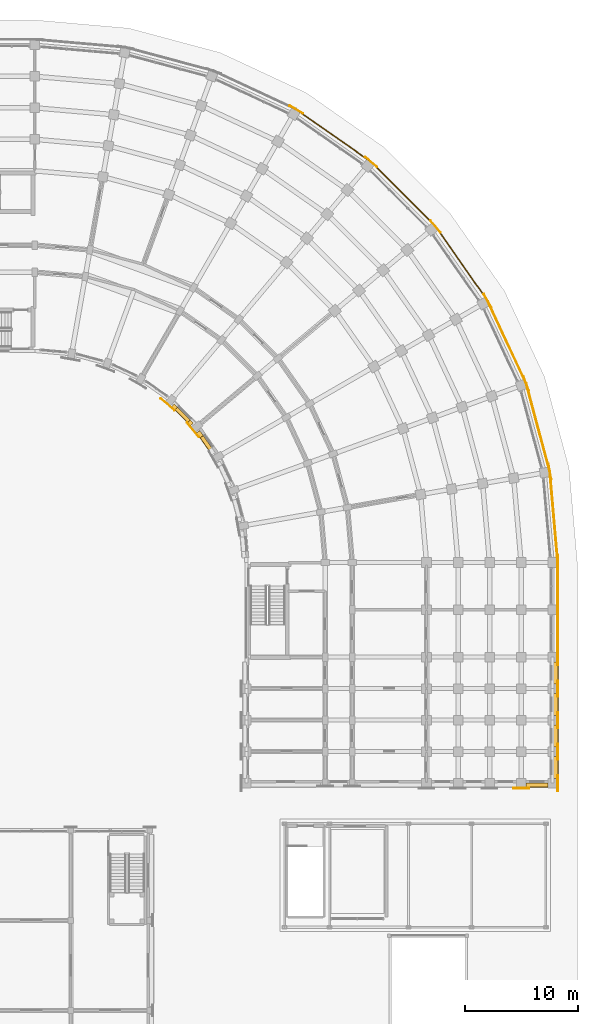
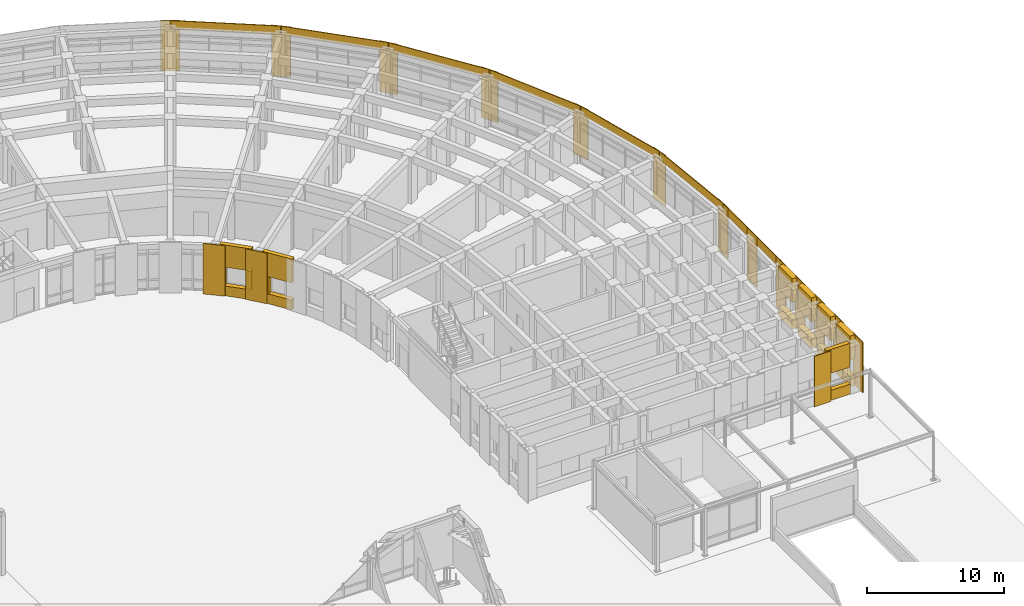
# One storey, part 133 of 135: 41 coverings.
"""IFC4 building model written with IfcOpenShell, lengths in metres."""

from ifc_helpers import new_model, si_unit, direction, frame, origin, place, context, subcontext, project, spatial, polyline, outline, extrude, material, layer, layer_set, type_object, element, save


model = new_model("IFC4")

# Units and contexts
model_context = context("Model", 3, precision=1e-05, world=origin(), true_north=direction((0.0, 1.0)))
body_context = subcontext(model_context, "Body", "Model", "MODEL_VIEW")
ifc_project = project(units=[si_unit("LENGTHUNIT", "METRE"), si_unit("AREAUNIT", "SQUARE_METRE"), si_unit("VOLUMEUNIT", "CUBIC_METRE"), si_unit("PLANEANGLEUNIT", "RADIAN"), si_unit("MASSUNIT", "GRAM", prefix="KILO")], contexts=[model_context])

# Site, building, storey
site_placement = place(None, origin())
site = spatial("IfcSite", under=ifc_project, at=site_placement, CompositionType="ELEMENT")
building_placement = place(site_placement, origin())
building = spatial("IfcBuilding", under=site, at=building_placement, Name="Kiranvali Square Residences", CompositionType="ELEMENT")
storey_placement = place(building_placement, origin())
storey = spatial("IfcBuildingStorey", under=building, at=storey_placement, Name="L00", CompositionType="ELEMENT", Elevation=0.0)

# Coverings
ifc_material_1 = material(Name="Honed Porbandar limestone ashlar facade cladding", Category="masonry")
ifc_layer_1 = layer(ifc_material_1, 0.3798828125)
ifc_layer_set_1 = layer_set([ifc_layer_1], Name="Honed Porbandar limestone ashlar facade cladding")
covering_type_1 = type_object("IfcCoveringType", Name="COV-CLAD-JAMB", PredefinedType="CLADDING", material=ifc_layer_set_1)
covering_1_placement = place(storey_placement, frame((0.0, 0.0, 0.8798828125)))
element("IfcCovering", 1, at=covering_1_placement, inside=storey, type_object=covering_type_1, Name="L00 deep limestone window jamb reveal B-L00-GDN-04.L", PredefinedType="CLADDING", context=body_context, shape_type="SweptSolid", body=[
    extrude(outline(polyline([(131.955078125, 101.650146484375), (132.23681640625, 101.368408203125), (132.47705078125, 101.6083984375), (132.195068359375, 101.89013671875), (131.955078125, 101.650146484375)])), origin(), (0.0, 0.0, 1.0), 1.650146484375),
])
covering_2_placement = place(storey_placement, frame((0.0, 0.0, 0.8798828125)))
element("IfcCovering", 2, at=covering_2_placement, inside=storey, type_object=covering_type_1, Name="L00 deep limestone window jamb reveal B-L00-GDN-04.R", PredefinedType="CLADDING", context=body_context, shape_type="SweptSolid", body=[
    extrude(outline(polyline([(133.368408203125, 100.23681640625), (133.650146484375, 99.955078125), (133.89013671875, 100.195068359375), (133.6083984375, 100.47705078125), (133.368408203125, 100.23681640625)])), origin(), (0.0, 0.0, 1.0), 1.650146484375),
])
covering_3_placement = place(storey_placement, frame((0.0, 0.0, 0.8798828125)))
element("IfcCovering", 3, at=covering_3_placement, inside=storey, type_object=covering_type_1, Name="L00 deep limestone window jamb reveal B-L00-GDN-05.L", PredefinedType="CLADDING", context=body_context, shape_type="SweptSolid", body=[
    extrude(outline(polyline([(134.175537109375, 99.328857421875), (134.490234375, 98.879638671875), (134.768310546875, 99.074462890625), (134.45361328125, 99.523681640625), (134.175537109375, 99.328857421875)])), origin(), (0.0, 0.0, 1.0), 1.5),
])
ifc_layer_2 = layer(ifc_material_1, 0.050048828125)
ifc_layer_set_2 = layer_set([ifc_layer_2], Name="Honed Porbandar limestone ashlar facade cladding")
covering_type_2 = type_object("IfcCoveringType", Name="COV-CLAD-PIER-IN", PredefinedType="CLADDING", material=ifc_layer_set_2)
covering_4_placement = place(storey_placement, frame((0.0, 0.0, 0.0048828125)))
element("IfcCovering", 4, at=covering_4_placement, inside=storey, type_object=covering_type_2, Name="L00 Classical garden courtyard pilaster CLAD-PRIN-B-L00-A04", PredefinedType="CLADDING", context=body_context, shape_type="SweptSolid", body=[
    extrude(outline(polyline([(130.935546875, 102.354248046875), (132.199462890625, 101.293701171875), (132.242919921875, 101.345458984375), (130.97900390625, 102.406005859375), (130.935546875, 102.354248046875)])), origin(), (0.0, 0.0, 1.0), 4.490234375),
])
covering_5_placement = place(storey_placement, frame((0.0, 0.0, 0.0048828125)))
element("IfcCovering", 5, at=covering_5_placement, inside=storey, type_object=covering_type_2, Name="L00 Classical garden courtyard pilaster CLAD-PRIN-B-L00-A05", PredefinedType="CLADDING", context=body_context, shape_type="SweptSolid", body=[
    extrude(outline(polyline([(133.293701171875, 100.199462890625), (134.354248046875, 98.935546875), (134.406005859375, 98.97900390625), (133.345458984375, 100.242919921875), (133.293701171875, 100.199462890625)])), origin(), (0.0, 0.0, 1.0), 4.490234375),
])
ifc_layer_3 = layer(ifc_material_1, 0.054931640625)
ifc_layer_set_3 = layer_set([ifc_layer_3], Name="Honed Porbandar limestone ashlar facade cladding")
covering_type_3 = type_object("IfcCoveringType", Name="COV-CLAD-PIER-UP", PredefinedType="CLADDING", material=ifc_layer_set_3)
covering_6_placement = place(storey_placement, frame((0.0, 0.0, 0.0048828125)))
element("IfcCovering", 6, at=covering_6_placement, inside=storey, type_object=covering_type_3, Name="L00 Classical limestone pilaster casing CLAD-PRA2E-B-L00-R432", PredefinedType="CLADDING", context=body_context, shape_type="SweptSolid", body=[
    extrude(outline(polyline([(162.294921875, 67.70703125), (163.705078125, 67.70703125), (163.705078125, 67.7744140625), (162.294921875, 67.7744140625), (162.294921875, 67.70703125)])), origin(), (0.0, 0.0, 1.0), 4.490234375),
])
ifc_material_2 = material(Name="Alternating Deccan basalt and Porbandar limestone rusticated plinth ashlar", Category="masonry")
ifc_layer_4 = layer(ifc_material_2, 0.0849609375)
ifc_layer_set_4 = layer_set([ifc_layer_4], Name="Alternating Deccan basalt and Porbandar limestone rusticated plinth ashlar")
covering_type_4 = type_object("IfcCoveringType", Name="COV-CLAD-PLINTH", PredefinedType="CLADDING", material=ifc_layer_set_4)
covering_7_placement = place(storey_placement, frame((0.0, 0.0, 0.0048828125)))
element("IfcCovering", 7, at=covering_7_placement, inside=storey, type_object=covering_type_4, Name="L00 rusticated Ottoman arcade pier CLAD-PR-B-L00-A03", PredefinedType="CLADDING", context=body_context, shape_type="SweptSolid", body=[
    extrude(outline(polyline([(143.656982421875, 127.711669921875), (142.43603515625, 128.41650390625), (142.402099609375, 128.358154296875), (143.623291015625, 127.653076171875), (143.656982421875, 127.711669921875)])), origin(), (0.0, 0.0, 1.0), 4.490234375),
])
covering_8_placement = place(storey_placement, frame((0.0, 0.0, 0.0048828125)))
element("IfcCovering", 8, at=covering_8_placement, inside=storey, type_object=covering_type_4, Name="L00 rusticated Ottoman arcade pier CLAD-PR-B-L00-A04", PredefinedType="CLADDING", context=body_context, shape_type="SweptSolid", body=[
    extrude(outline(polyline([(150.22509765625, 122.962646484375), (149.14501953125, 123.868896484375), (149.1015625, 123.817138671875), (150.181884765625, 122.910888671875), (150.22509765625, 122.962646484375)])), origin(), (0.0, 0.0, 1.0), 4.490234375),
])
covering_9_placement = place(storey_placement, frame((0.0, 0.0, 0.0048828125)))
element("IfcCovering", 9, at=covering_9_placement, inside=storey, type_object=covering_type_4, Name="L00 rusticated Ottoman arcade pier CLAD-PR-B-L00-A05", PredefinedType="CLADDING", context=body_context, shape_type="SweptSolid", body=[
    extrude(outline(polyline([(155.868896484375, 117.14501953125), (154.962646484375, 118.22509765625), (154.910888671875, 118.181884765625), (155.817138671875, 117.1015625), (155.868896484375, 117.14501953125)])), origin(), (0.0, 0.0, 1.0), 4.490234375),
])
covering_10_placement = place(storey_placement, frame((0.0, 0.0, 0.0048828125)))
element("IfcCovering", 10, at=covering_10_placement, inside=storey, type_object=covering_type_4, Name="L00 rusticated Ottoman arcade pier CLAD-PR-B-L00-A06", PredefinedType="CLADDING", context=body_context, shape_type="SweptSolid", body=[
    extrude(outline(polyline([(160.41650390625, 110.43603515625), (159.711669921875, 111.656982421875), (159.653076171875, 111.623291015625), (160.358154296875, 110.402099609375), (160.41650390625, 110.43603515625)])), origin(), (0.0, 0.0, 1.0), 4.490234375),
])
covering_11_placement = place(storey_placement, frame((0.0, 0.0, 0.0048828125)))
element("IfcCovering", 11, at=covering_11_placement, inside=storey, type_object=covering_type_4, Name="L00 rusticated Ottoman arcade pier CLAD-PR-B-L00-A07", PredefinedType="CLADDING", context=body_context, shape_type="SweptSolid", body=[
    extrude(outline(polyline([(163.730224609375, 103.0390625), (163.248046875, 104.364013671875), (163.1845703125, 104.3408203125), (163.666748046875, 103.015869140625), (163.730224609375, 103.0390625)])), origin(), (0.0, 0.0, 1.0), 4.490234375),
])
covering_12_placement = place(storey_placement, frame((0.0, 0.0, 0.0048828125)))
element("IfcCovering", 12, at=covering_12_placement, inside=storey, type_object=covering_type_4, Name="L00 rusticated Ottoman arcade pier CLAD-PR-B-L00-A08", PredefinedType="CLADDING", context=body_context, shape_type="SweptSolid", body=[
    extrude(outline(polyline([(165.708984375, 95.17919921875), (165.46435546875, 96.567626953125), (165.397705078125, 96.555908203125), (165.642578125, 95.16748046875), (165.708984375, 95.17919921875)])), origin(), (0.0, 0.0, 1.0), 4.490234375),
])
covering_13_placement = place(storey_placement, frame((0.0, 0.0, 0.0048828125)))
element("IfcCovering", 13, at=covering_13_placement, inside=storey, type_object=covering_type_4, Name="L00 rusticated Ottoman arcade pier CLAD-PR-B-L00-A09", PredefinedType="CLADDING", context=body_context, shape_type="SweptSolid", body=[
    extrude(outline(polyline([(166.29296875, 87.094970703125), (166.29296875, 88.5048828125), (166.2255859375, 88.5048828125), (166.2255859375, 87.094970703125), (166.29296875, 87.094970703125)])), origin(), (0.0, 0.0, 1.0), 4.490234375),
])
covering_14_placement = place(storey_placement, frame((0.0, 0.0, 0.0048828125)))
element("IfcCovering", 14, at=covering_14_placement, inside=storey, type_object=covering_type_4, Name="L00 Classical limestone pilaster casing CLAD-PR-B-L00-V42", PredefinedType="CLADDING", context=body_context, shape_type="SweptSolid", body=[
    extrude(outline(polyline([(166.2255859375, 84.304931640625), (166.2255859375, 82.89501953125), (166.29296875, 82.89501953125), (166.29296875, 84.304931640625), (166.2255859375, 84.304931640625)])), origin(), (0.0, 0.0, 1.0), 4.490234375),
])
covering_15_placement = place(storey_placement, frame((0.0, 0.0, 0.0048828125)))
element("IfcCovering", 15, at=covering_15_placement, inside=storey, type_object=covering_type_4, Name="L00 Classical limestone pilaster casing CLAD-PR-B-L00-V84", PredefinedType="CLADDING", context=body_context, shape_type="SweptSolid", body=[
    extrude(outline(polyline([(166.2255859375, 80.10498046875), (166.2255859375, 78.695068359375), (166.29296875, 78.695068359375), (166.29296875, 80.10498046875), (166.2255859375, 80.10498046875)])), origin(), (0.0, 0.0, 1.0), 4.490234375),
])
covering_16_placement = place(storey_placement, frame((0.0, 0.0, 0.0048828125)))
element("IfcCovering", 16, at=covering_16_placement, inside=storey, type_object=covering_type_4, Name="L00 Classical limestone pilaster casing CLAD-PR-B-L00-V112", PredefinedType="CLADDING", context=body_context, shape_type="SweptSolid", body=[
    extrude(outline(polyline([(166.2255859375, 77.304931640625), (166.2255859375, 75.89501953125), (166.29296875, 75.89501953125), (166.29296875, 77.304931640625), (166.2255859375, 77.304931640625)])), origin(), (0.0, 0.0, 1.0), 4.490234375),
])
covering_17_placement = place(storey_placement, frame((0.0, 0.0, 0.0048828125)))
element("IfcCovering", 17, at=covering_17_placement, inside=storey, type_object=covering_type_4, Name="L00 Classical limestone pilaster casing CLAD-PR-B-L00-V140", PredefinedType="CLADDING", context=body_context, shape_type="SweptSolid", body=[
    extrude(outline(polyline([(166.2255859375, 74.5048828125), (166.2255859375, 73.094970703125), (166.29296875, 73.094970703125), (166.29296875, 74.5048828125), (166.2255859375, 74.5048828125)])), origin(), (0.0, 0.0, 1.0), 4.490234375),
])
covering_18_placement = place(storey_placement, frame((0.0, 0.0, 0.0048828125)))
element("IfcCovering", 18, at=covering_18_placement, inside=storey, type_object=covering_type_4, Name="L00 Classical limestone pilaster casing CLAD-PR-B-L00-V167", PredefinedType="CLADDING", context=body_context, shape_type="SweptSolid", body=[
    extrude(outline(polyline([(166.2255859375, 71.705078125), (166.2255859375, 70.294921875), (166.29296875, 70.294921875), (166.29296875, 71.705078125), (166.2255859375, 71.705078125)])), origin(), (0.0, 0.0, 1.0), 4.490234375),
])
covering_19_placement = place(storey_placement, frame((0.0, 0.0, 0.0048828125)))
element("IfcCovering", 19, at=covering_19_placement, inside=storey, type_object=covering_type_4, Name="L00 Classical limestone pilaster casing CLAD-PR-B-L00-V196", PredefinedType="CLADDING", context=body_context, shape_type="SweptSolid", body=[
    extrude(outline(polyline([(166.2255859375, 68.905029296875), (166.2255859375, 67.4951171875), (166.29296875, 67.4951171875), (166.29296875, 68.905029296875), (166.2255859375, 68.905029296875)])), origin(), (0.0, 0.0, 1.0), 4.490234375),
])
ifc_layer_5 = layer(ifc_material_1, 0.360107421875)
ifc_layer_set_5 = layer_set([ifc_layer_5], Name="Honed Porbandar limestone ashlar facade cladding")
covering_type_5 = type_object("IfcCoveringType", Name="COV-CLAD-WALL", PredefinedType="CLADDING", material=ifc_layer_set_5)
covering_20_placement = place(storey_placement, frame((0.0, 0.0, 3.780029296875)))
element("IfcCovering", 20, at=covering_20_placement, inside=storey, type_object=covering_type_5, Name="Block B L00 Classical Ottoman arcade entablature 4", PredefinedType="CLADDING", context=body_context, shape_type="SweptSolid", body=[
    extrude(outline(polyline([(143.044921875, 127.987060546875), (149.613037109375, 123.387939453125), (149.657958984375, 123.45166015625), (143.089599609375, 128.05078125), (143.044921875, 127.987060546875)])), origin(), (0.0, 0.0, 1.0), 0.715087890625),
])
covering_21_placement = place(storey_placement, frame((0.0, 0.0, 3.780029296875)))
element("IfcCovering", 21, at=covering_21_placement, inside=storey, type_object=covering_type_5, Name="Block B L00 Classical Ottoman arcade entablature 5", PredefinedType="CLADDING", context=body_context, shape_type="SweptSolid", body=[
    extrude(outline(polyline([(149.670166015625, 123.340087890625), (155.340087890625, 117.670166015625), (155.39501953125, 117.725341796875), (149.725341796875, 123.39501953125), (149.670166015625, 123.340087890625)])), origin(), (0.0, 0.0, 1.0), 0.715087890625),
])
covering_22_placement = place(storey_placement, frame((0.0, 0.0, 3.780029296875)))
element("IfcCovering", 22, at=covering_22_placement, inside=storey, type_object=covering_type_5, Name="Block B L00 Classical Ottoman arcade entablature 6", PredefinedType="CLADDING", context=body_context, shape_type="SweptSolid", body=[
    extrude(outline(polyline([(155.387939453125, 117.613037109375), (159.987060546875, 111.044921875), (160.05078125, 111.089599609375), (155.45166015625, 117.657958984375), (155.387939453125, 117.613037109375)])), origin(), (0.0, 0.0, 1.0), 0.715087890625),
])
covering_23_placement = place(storey_placement, frame((0.0, 0.0, 3.780029296875)))
element("IfcCovering", 23, at=covering_23_placement, inside=storey, type_object=covering_type_5, Name="Block B L00 Classical Ottoman arcade entablature 7", PredefinedType="CLADDING", context=body_context, shape_type="SweptSolid", body=[
    extrude(outline(polyline([(160.024169921875, 110.98046875), (163.412841796875, 103.71337890625), (163.483642578125, 103.746337890625), (160.094970703125, 111.013427734375), (160.024169921875, 110.98046875)])), origin(), (0.0, 0.0, 1.0), 0.715087890625),
])
covering_24_placement = place(storey_placement, frame((0.0, 0.0, 3.780029296875)))
element("IfcCovering", 24, at=covering_24_placement, inside=storey, type_object=covering_type_5, Name="Block B L00 Classical Ottoman arcade entablature 8", PredefinedType="CLADDING", context=body_context, shape_type="SweptSolid", body=[
    extrude(outline(polyline([(163.438232421875, 103.6435546875), (165.513671875, 95.8984375), (165.5888671875, 95.91845703125), (163.513671875, 103.66357421875), (163.438232421875, 103.6435546875)])), origin(), (0.0, 0.0, 1.0), 0.715087890625),
])
covering_25_placement = place(storey_placement, frame((0.0, 0.0, 3.780029296875)))
element("IfcCovering", 25, at=covering_25_placement, inside=storey, type_object=covering_type_5, Name="Block B L00 Classical Ottoman arcade entablature 9", PredefinedType="CLADDING", context=body_context, shape_type="SweptSolid", body=[
    extrude(outline(polyline([(165.526611328125, 95.824951171875), (166.225341796875, 87.837158203125), (166.302978515625, 87.843994140625), (165.604248046875, 95.831787109375), (165.526611328125, 95.824951171875)])), origin(), (0.0, 0.0, 1.0), 0.715087890625),
])
covering_26_placement = place(storey_placement, frame((0.0, 0.0, 2.530029296875)))
element("IfcCovering", 26, at=covering_26_placement, inside=storey, type_object=covering_type_5, Name="L00 light limestone spandrel lintel B-L00-GDN-04", PredefinedType="CLADDING", context=body_context, shape_type="SweptSolid", body=[
    extrude(outline(polyline([(131.955078125, 101.650146484375), (133.650146484375, 99.955078125), (133.89013671875, 100.195068359375), (132.195068359375, 101.89013671875), (131.955078125, 101.650146484375)])), origin(), (0.0, 0.0, 1.0), 1.965087890625),
])
covering_27_placement = place(storey_placement, frame((0.0, 0.0, 2.3798828125)))
element("IfcCovering", 27, at=covering_27_placement, inside=storey, type_object=covering_type_5, Name="L00 light limestone spandrel lintel B-L00-GDN-05", PredefinedType="CLADDING", context=body_context, shape_type="SweptSolid", body=[
    extrude(outline(polyline([(134.175537109375, 99.328857421875), (135.55029296875, 97.365478515625), (135.828369140625, 97.56005859375), (134.45361328125, 99.523681640625), (134.175537109375, 99.328857421875)])), origin(), (0.0, 0.0, 1.0), 2.115234375),
])
covering_28_placement = place(storey_placement, frame((0.0, 0.0, 3.780029296875)))
element("IfcCovering", 28, at=covering_28_placement, inside=storey, type_object=covering_type_5, Name="Block B L00 Arm 2 street arcade cornice 1", PredefinedType="CLADDING", context=body_context, shape_type="SweptSolid", body=[
    extrude(outline(polyline([(166.22705078125, 87.800048828125), (166.22705078125, 83.60009765625), (166.304931640625, 83.60009765625), (166.304931640625, 87.800048828125), (166.22705078125, 87.800048828125)])), origin(), (0.0, 0.0, 1.0), 0.715087890625),
])
covering_29_placement = place(storey_placement, frame((0.0, 0.0, 3.780029296875)))
element("IfcCovering", 29, at=covering_29_placement, inside=storey, type_object=covering_type_5, Name="Block B L00 Arm 2 street arcade cornice 2", PredefinedType="CLADDING", context=body_context, shape_type="SweptSolid", body=[
    extrude(outline(polyline([(166.22705078125, 83.60009765625), (166.22705078125, 79.39990234375), (166.304931640625, 79.39990234375), (166.304931640625, 83.60009765625), (166.22705078125, 83.60009765625)])), origin(), (0.0, 0.0, 1.0), 0.715087890625),
])
covering_30_placement = place(storey_placement, frame((0.0, 0.0, 2.3798828125)))
element("IfcCovering", 30, at=covering_30_placement, inside=storey, type_object=covering_type_5, Name="L00 light limestone spandrel lintel B-L00-A2O-2", PredefinedType="CLADDING", context=body_context, shape_type="SweptSolid", body=[
    extrude(outline(polyline([(165.800537109375, 78.97998046875), (165.800537109375, 77.02001953125), (166.27490234375, 77.02001953125), (166.27490234375, 78.97998046875), (165.800537109375, 78.97998046875)])), origin(), (0.0, 0.0, 1.0), 2.115234375),
])
covering_31_placement = place(storey_placement, frame((0.0, 0.0, 0.0048828125)))
element("IfcCovering", 31, at=covering_31_placement, inside=storey, type_object=covering_type_5, Name="L00 limestone window sill apron B-L00-A2O-2", PredefinedType="CLADDING", context=body_context, shape_type="SweptSolid", body=[
    extrude(outline(polyline([(165.800537109375, 78.97998046875), (165.800537109375, 77.02001953125), (166.304931640625, 77.02001953125), (166.304931640625, 78.97998046875), (165.800537109375, 78.97998046875)])), origin(), (0.0, 0.0, 1.0), 0.875),
])
covering_32_placement = place(storey_placement, frame((0.0, 0.0, 2.3798828125)))
element("IfcCovering", 32, at=covering_32_placement, inside=storey, type_object=covering_type_5, Name="L00 light limestone spandrel lintel B-L00-A2O-3", PredefinedType="CLADDING", context=body_context, shape_type="SweptSolid", body=[
    extrude(outline(polyline([(165.800537109375, 76.179931640625), (165.800537109375, 74.219970703125), (166.27490234375, 74.219970703125), (166.27490234375, 76.179931640625), (165.800537109375, 76.179931640625)])), origin(), (0.0, 0.0, 1.0), 2.115234375),
])
covering_33_placement = place(storey_placement, frame((0.0, 0.0, 0.0048828125)))
element("IfcCovering", 33, at=covering_33_placement, inside=storey, type_object=covering_type_5, Name="L00 limestone window sill apron B-L00-A2O-3", PredefinedType="CLADDING", context=body_context, shape_type="SweptSolid", body=[
    extrude(outline(polyline([(165.800537109375, 76.179931640625), (165.800537109375, 74.219970703125), (166.304931640625, 74.219970703125), (166.304931640625, 76.179931640625), (165.800537109375, 76.179931640625)])), origin(), (0.0, 0.0, 1.0), 0.875),
])
covering_34_placement = place(storey_placement, frame((0.0, 0.0, 2.3798828125)))
element("IfcCovering", 34, at=covering_34_placement, inside=storey, type_object=covering_type_5, Name="L00 light limestone spandrel lintel B-L00-A2O-4", PredefinedType="CLADDING", context=body_context, shape_type="SweptSolid", body=[
    extrude(outline(polyline([(165.800537109375, 73.3798828125), (165.800537109375, 71.419921875), (166.27490234375, 71.419921875), (166.27490234375, 73.3798828125), (165.800537109375, 73.3798828125)])), origin(), (0.0, 0.0, 1.0), 2.115234375),
])
covering_35_placement = place(storey_placement, frame((0.0, 0.0, 0.0048828125)))
element("IfcCovering", 35, at=covering_35_placement, inside=storey, type_object=covering_type_5, Name="L00 limestone window sill apron B-L00-A2O-4", PredefinedType="CLADDING", context=body_context, shape_type="SweptSolid", body=[
    extrude(outline(polyline([(165.800537109375, 73.3798828125), (165.800537109375, 71.419921875), (166.304931640625, 71.419921875), (166.304931640625, 73.3798828125), (165.800537109375, 73.3798828125)])), origin(), (0.0, 0.0, 1.0), 0.875),
])
covering_36_placement = place(storey_placement, frame((0.0, 0.0, 2.3798828125)))
element("IfcCovering", 36, at=covering_36_placement, inside=storey, type_object=covering_type_5, Name="L00 light limestone spandrel lintel B-L00-A2O-5", PredefinedType="CLADDING", context=body_context, shape_type="SweptSolid", body=[
    extrude(outline(polyline([(165.800537109375, 70.580078125), (165.800537109375, 68.6201171875), (166.27490234375, 68.6201171875), (166.27490234375, 70.580078125), (165.800537109375, 70.580078125)])), origin(), (0.0, 0.0, 1.0), 2.115234375),
])
covering_37_placement = place(storey_placement, frame((0.0, 0.0, 0.0048828125)))
element("IfcCovering", 37, at=covering_37_placement, inside=storey, type_object=covering_type_5, Name="L00 limestone window sill apron B-L00-A2O-5", PredefinedType="CLADDING", context=body_context, shape_type="SweptSolid", body=[
    extrude(outline(polyline([(165.800537109375, 70.580078125), (165.800537109375, 68.6201171875), (166.304931640625, 68.6201171875), (166.304931640625, 70.580078125), (165.800537109375, 70.580078125)])), origin(), (0.0, 0.0, 1.0), 0.875),
])
covering_38_placement = place(storey_placement, frame((0.0, 0.0, 2.3798828125)))
element("IfcCovering", 38, at=covering_38_placement, inside=storey, type_object=covering_type_5, Name="L00 light limestone spandrel lintel B-L00-A2END-6", PredefinedType="CLADDING", context=body_context, shape_type="SweptSolid", body=[
    extrude(outline(polyline([(163.419921875, 67.860107421875), (165.3798828125, 67.860107421875), (165.3798828125, 68.199462890625), (163.419921875, 68.199462890625), (163.419921875, 67.860107421875)])), origin(), (0.0, 0.0, 1.0), 2.115234375),
])
covering_39_placement = place(storey_placement, frame((0.0, 0.0, 0.0048828125)))
element("IfcCovering", 39, at=covering_39_placement, inside=storey, type_object=covering_type_5, Name="L00 limestone window sill apron B-L00-A2END-6", PredefinedType="CLADDING", context=body_context, shape_type="SweptSolid", body=[
    extrude(outline(polyline([(163.419921875, 67.830078125), (165.3798828125, 67.830078125), (165.3798828125, 68.199462890625), (163.419921875, 68.199462890625), (163.419921875, 67.830078125)])), origin(), (0.0, 0.0, 1.0), 0.875),
])
ifc_layer_6 = layer(ifc_material_1, 0.2900390625)
ifc_layer_set_6 = layer_set([ifc_layer_6], Name="Honed Porbandar limestone ashlar facade cladding")
covering_type_6 = type_object("IfcCoveringType", Name="COV-CLAD-WALL-IN", PredefinedType="CLADDING", material=ifc_layer_set_6)
covering_40_placement = place(storey_placement, frame((0.0, 0.0, 0.0048828125)))
element("IfcCovering", 40, at=covering_40_placement, inside=storey, type_object=covering_type_6, Name="L00 limestone window sill apron B-L00-GDN-04", PredefinedType="CLADDING", context=body_context, shape_type="SweptSolid", body=[
    extrude(outline(polyline([(131.933837890625, 101.62890625), (133.62890625, 99.933837890625), (133.89013671875, 100.195068359375), (132.195068359375, 101.89013671875), (131.933837890625, 101.62890625)])), origin(), (0.0, 0.0, 1.0), 0.875),
])
covering_41_placement = place(storey_placement, frame((0.0, 0.0, 0.0048828125)))
element("IfcCovering", 41, at=covering_41_placement, inside=storey, type_object=covering_type_6, Name="L00 limestone window sill apron B-L00-GDN-05", PredefinedType="CLADDING", context=body_context, shape_type="SweptSolid", body=[
    extrude(outline(polyline([(134.15087890625, 99.311767578125), (135.52587890625, 97.34814453125), (135.828369140625, 97.56005859375), (134.45361328125, 99.523681640625), (134.15087890625, 99.311767578125)])), origin(), (0.0, 0.0, 1.0), 0.875),
])

save(model, "model.ifc")
